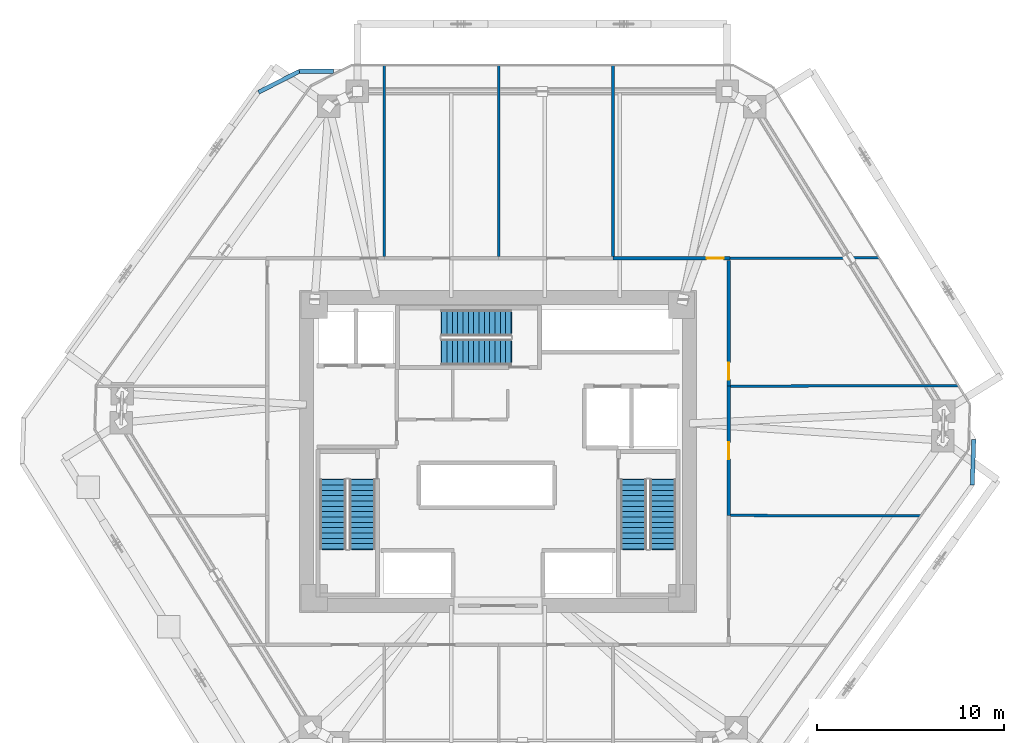
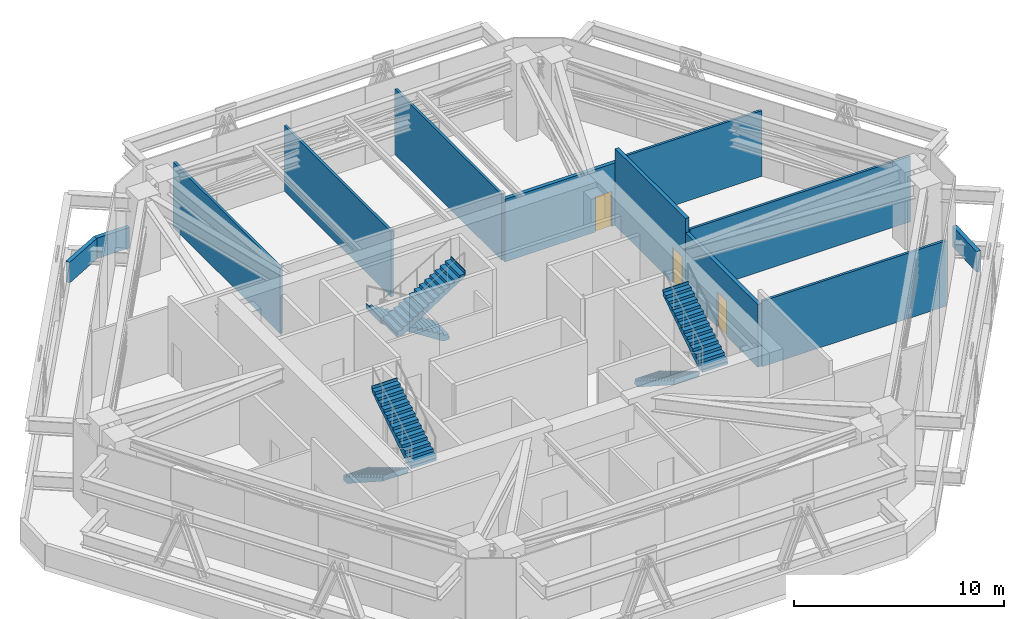
# One storey, part 9 of 10: 12 walls, 6 stair flights, 3 doors, 3 openings, 3 elements without a shape of their own.
"""IFC4 building model written with IfcOpenShell, lengths in metres."""

from ifc_helpers import new_model, si_unit, direction, frame, frame_2d, origin, place, context, subcontext, project, spatial, polyline, rectangle, outline, extrude, source, transform, mapped, material, layer, layer_set, type_object, type_shapes, element, fill, aggregate, save


model = new_model("IFC4")

# Units and contexts
model_context = context("Model", 3, precision=1e-05, world=origin(), true_north=direction((0.0, 1.0)))
body_context = subcontext(model_context, "Body", "Model", "MODEL_VIEW")
ifc_project = project(units=[si_unit("LENGTHUNIT", "METRE"), si_unit("AREAUNIT", "SQUARE_METRE"), si_unit("VOLUMEUNIT", "CUBIC_METRE"), si_unit("PLANEANGLEUNIT", "RADIAN"), si_unit("MASSUNIT", "GRAM", prefix="KILO")], contexts=[model_context])

# Site, building, storey
site_placement = place(None, origin())
site = spatial("IfcSite", under=ifc_project, at=site_placement, CompositionType="ELEMENT")
building_placement = place(site_placement, origin())
building = spatial("IfcBuilding", under=site, at=building_placement, Name="Durnholm Broadcast Tower", CompositionType="ELEMENT")
storey_placement = place(building_placement, frame((0.0, 0.0, 88.5)))
storey = spatial("IfcBuildingStorey", under=building, at=storey_placement, Name="L23", CompositionType="ELEMENT", Elevation=88.5)

# Wall, opening, door
ifc_material_1 = material(Name="Fire-Rated Gypsum Shaftwall", Category="concrete")
ifc_layer_1 = layer(ifc_material_1, 0.199951171875)
ifc_layer_set_1 = layer_set([ifc_layer_1], Name="Fire-Rated Gypsum Shaftwall")
wall_type_1 = type_object("IfcWallType", Name="WALL-LOB-200", PredefinedType="SOLIDWALL", material=ifc_layer_set_1)
wall_1_placement = place(storey_placement, frame((12.389892578125, 10.31005859375, 0.0), z_axis=(0.0, 0.0, 1.0), x_axis=(-1.0, 0.0, 0.0)))
wall_1 = element("IfcWall", 1, at=wall_1_placement, inside=storey, type_object=wall_type_1, Name="L23 Mechanical Plant Room - Hydronic Heating Boiler corridor partition", PredefinedType="SOLIDWALL", context=body_context, shape_type="SweptSolid", body=[
    extrude(rectangle(XDim=6.25, YDim=0.199951171875, at=frame_2d((3.125, 0.0))), origin(), (0.0, 0.0, 1.0), 3.652099609375),
])
opening_1_placement = place(wall_1_placement, frame((0.35009765625, 0.0, 0.0)))
opening_1 = element("IfcOpeningElement", 2, at=opening_1_placement, cuts=wall_1, Name="Opening DC-60L", PredefinedType="OPENING", context=body_context, shape_type="SweptSolid", body=[
    extrude(rectangle(XDim=0.89990234375, YDim=2.050048828125, at=frame_2d((0.449951171875, 1.02490234375))), frame((0.0, 0.10986328125, 0.0), z_axis=(0.0, -1.0, 0.0), x_axis=(1.0, 0.0, 0.0)), (0.0, 0.0, 1.0), 0.219970703125),
])
ifc_material_2 = material(Name="Fire-Rated Core Service Door", Category="steel")
ifc_layer_2 = layer(ifc_material_2, 0.050048828125)
ifc_layer_set_2 = layer_set([ifc_layer_2], Name="Fire-Rated Core Service Door")
door_type_1 = type_object("IfcDoorType", Name="DOOR-CORE-FD60-L", OperationType="NOTDEFINED", PredefinedType="DOOR", material=ifc_layer_set_2)
shared_shape_1 = source(origin(), body_context, "Body", "SweptSolid", [
    extrude(rectangle(XDim=0.89990234375, YDim=2.050048828125, at=frame_2d((0.449951171875, 1.02490234375))), frame((0.0, 0.02490234375, 0.0), z_axis=(0.0, -1.0, 0.0), x_axis=(1.0, 0.0, 0.0)), (0.0, 0.0, 1.0), 0.050048828125),
])
type_shapes(door_type_1, [shared_shape_1])
door_1_placement = place(opening_1_placement, origin())
door_1 = element("IfcDoor", 3, at=door_1_placement, inside=storey, type_object=door_type_1, Name="L23 Mechanical Plant Room - Hydronic Heating Boiler entrance door", OperationType="SINGLE_SWING_LEFT", OverallHeight=2.050048828125, OverallWidth=0.89990234375, PredefinedType="DOOR", context=body_context, shape_type="MappedRepresentation", body=[
    mapped(shared_shape_1, transform((0.0, 0.0, 0.0), x_axis=(1.0, 0.0, 0.0), y_axis=(0.0, 1.0, 0.0), z_axis=(0.0, 0.0, 1.0), scale=1.0)),
])
fill(opening_1, door_1)

wall_2_placement = place(storey_placement, frame((12.31005859375, -3.409912109375, 0.0), z_axis=(0.0, 0.0, 1.0), x_axis=(0.0, 1.0, 0.0)))
wall_2 = element("IfcWall", 4, at=wall_2_placement, inside=storey, type_object=wall_type_1, Name="L23 Mechanical Plant Room - Medium Voltage Transformer corridor partition", PredefinedType="SOLIDWALL", context=body_context, shape_type="SweptSolid", body=[
    extrude(rectangle(XDim=6.89990234375, YDim=0.199951171875, at=frame_2d((3.449951171875, 0.0))), origin(), (0.0, 0.0, 1.0), 3.652099609375),
])
opening_2_placement = place(wall_2_placement, frame((3.0, 0.0, 0.0)))
opening_2 = element("IfcOpeningElement", 5, at=opening_2_placement, cuts=wall_2, Name="Opening DC-60L", PredefinedType="OPENING", context=body_context, shape_type="SweptSolid", body=[
    extrude(rectangle(XDim=0.89990234375, YDim=2.050048828125, at=frame_2d((0.449951171875, 1.02490234375))), frame((0.0, 0.10986328125, 0.0), z_axis=(0.0, -1.0, 0.0), x_axis=(1.0, 0.0, 0.0)), (0.0, 0.0, 1.0), 0.219970703125),
])
door_2_placement = place(opening_2_placement, origin())
door_2 = element("IfcDoor", 6, at=door_2_placement, inside=storey, type_object=door_type_1, Name="L23 Mechanical Plant Room - Medium Voltage Transformer entrance door", OperationType="SINGLE_SWING_LEFT", OverallHeight=2.050048828125, OverallWidth=0.89990234375, PredefinedType="DOOR", context=body_context, shape_type="MappedRepresentation", body=[
    mapped(shared_shape_1, transform((0.0, 0.0, 0.0), x_axis=(1.0, 0.0, 0.0), y_axis=(0.0, 1.0, 0.0), z_axis=(0.0, 0.0, 1.0), scale=1.0)),
])
fill(opening_2, door_2)

wall_3_placement = place(storey_placement, frame((12.31005859375, 3.489990234375, 0.0), z_axis=(0.0, 0.0, 1.0), x_axis=(0.0, 1.0, 0.0)))
wall_3 = element("IfcWall", 7, at=wall_3_placement, inside=storey, type_object=wall_type_1, Name="L23 Mechanical Plant Room - Emergency Smoke Exhaust Fan corridor partition", PredefinedType="SOLIDWALL", context=body_context, shape_type="SweptSolid", body=[
    extrude(rectangle(XDim=6.716064453125, YDim=0.199951171875, at=frame_2d((3.35791015625, 0.0))), origin(), (0.0, 0.0, 1.0), 4.485107421875),
])
opening_3_placement = place(wall_3_placement, frame((0.35009765625, 0.0, 0.0)))
opening_3 = element("IfcOpeningElement", 8, at=opening_3_placement, cuts=wall_3, Name="Opening DC-60R", PredefinedType="OPENING", context=body_context, shape_type="SweptSolid", body=[
    extrude(rectangle(XDim=0.89990234375, YDim=2.050048828125, at=frame_2d((0.449951171875, 1.02490234375))), frame((0.0, 0.10986328125, 0.0), z_axis=(0.0, -1.0, 0.0), x_axis=(1.0, 0.0, 0.0)), (0.0, 0.0, 1.0), 0.219970703125),
])
ifc_layer_3 = layer(ifc_material_2, 0.050048828125)
ifc_layer_set_3 = layer_set([ifc_layer_3], Name="Fire-Rated Core Service Door")
door_type_2 = type_object("IfcDoorType", Name="DOOR-CORE-FD60-R", OperationType="NOTDEFINED", PredefinedType="DOOR", material=ifc_layer_set_3)
shared_shape_2 = source(origin(), body_context, "Body", "SweptSolid", [
    extrude(rectangle(XDim=0.89990234375, YDim=2.050048828125, at=frame_2d((0.449951171875, 1.02490234375))), frame((0.0, 0.02490234375, 0.0), z_axis=(0.0, -1.0, 0.0), x_axis=(1.0, 0.0, 0.0)), (0.0, 0.0, 1.0), 0.050048828125),
])
type_shapes(door_type_2, [shared_shape_2])
door_3_placement = place(opening_3_placement, origin())
door_3 = element("IfcDoor", 9, at=door_3_placement, inside=storey, type_object=door_type_2, Name="L23 Mechanical Plant Room - Emergency Smoke Exhaust Fan entrance door", OperationType="SINGLE_SWING_RIGHT", OverallHeight=2.050048828125, OverallWidth=0.89990234375, PredefinedType="DOOR", context=body_context, shape_type="MappedRepresentation", body=[
    mapped(shared_shape_2, transform((0.0, 0.0, 0.0), x_axis=(1.0, 0.0, 0.0), y_axis=(0.0, 1.0, 0.0), z_axis=(0.0, 0.0, 1.0), scale=1.0)),
])
fill(opening_3, door_3)

# Walls
ifc_material_3 = material(Name="Precast Concrete C40/50", Category="concrete")
ifc_layer_4 = layer(ifc_material_3, 0.219970703125)
ifc_layer_set_4 = layer_set([ifc_layer_4], Name="Precast Concrete C40/50")
wall_type_2 = type_object("IfcWallType", Name="WALL-PAR-220", PredefinedType="PARAPET", material=ifc_layer_set_4)
wall_4_placement = place(storey_placement, frame((25.393310546875, 0.6484375, 0.0), z_axis=(0.0, 0.0, 1.0), x_axis=(-0.033815990117, -0.999428075858, 0.0)))
element("IfcWall", 10, at=wall_4_placement, inside=storey, type_object=wall_type_2, Name="L23 setback roof perimeter parapet 01", PredefinedType="PARAPET", context=body_context, shape_type="SweptSolid", body=[
    extrude(rectangle(XDim=2.43310546875, YDim=0.219970703125, at=frame_2d((1.216552734375, 0.0))), origin(), (0.0, 0.0, 1.0), 1.199951171875),
])
wall_5_placement = place(storey_placement, frame((-12.77197265625, 19.17529296875, 0.0), z_axis=(0.0, 0.0, 1.0), x_axis=(0.890197350178, 0.455575106581, 0.0)))
element("IfcWall", 11, at=wall_5_placement, inside=storey, type_object=wall_type_2, Name="L23 setback roof perimeter parapet 09", PredefinedType="PARAPET", context=body_context, shape_type="SweptSolid", body=[
    extrude(rectangle(XDim=2.44677734375, YDim=0.219970703125, at=frame_2d((1.223388671875, 0.0))), origin(), (0.0, 0.0, 1.0), 1.199951171875),
])
wall_6_placement = place(storey_placement, frame((-10.59375, 20.2900390625, 0.0), z_axis=(0.0, 0.0, 1.0), x_axis=(1.0, 0.0, 0.0)))
element("IfcWall", 12, at=wall_6_placement, inside=storey, type_object=wall_type_2, Name="L23 setback roof perimeter parapet 10", PredefinedType="PARAPET", context=body_context, shape_type="SweptSolid", body=[
    extrude(rectangle(XDim=1.817138671875, YDim=0.219970703125, at=frame_2d((0.90869140625, 0.0))), origin(), (0.0, 0.0, 1.0), 1.199951171875),
])
ifc_material_4 = material(Name="Gypsum Metal Stud Partition", Category="concrete")
ifc_layer_5 = layer(ifc_material_4, 0.135009765625)
ifc_layer_set_5 = layer_set([ifc_layer_5], Name="Gypsum Metal Stud Partition")
wall_type_3 = type_object("IfcWallType", Name="WALL-PART-135", PredefinedType="PARTITIONING", material=ifc_layer_set_5)
for number, where, z_axis, x_axis, name in (
    (13, (-6.06005859375, 20.614990234375, 0.0), (0.0, 0.0, 1.0), (0.0, -1.0, 0.0), "L23 room dividing partition 3.4"),
    (14, (0.0400390625, 20.614990234375, 0.0), (0.0, 0.0, 1.0), (0.0, -1.0, 0.0), "L23 room dividing partition 4.5"),
    (15, (6.139892578125, 20.614990234375, 0.0), (0.0, 0.0, 1.0), (0.0, -1.0, 0.0), "L23 room dividing partition 5.6"),
):
    element("IfcWall", number, at=place(storey_placement, frame(where, z_axis=z_axis, x_axis=x_axis)), inside=storey, type_object=wall_type_3, Name=name, PredefinedType="PARTITIONING", context=body_context, shape_type="SweptSolid", body=[
        extrude(rectangle(XDim=10.200927734375, YDim=0.135009765625, at=frame_2d((5.1005859375, 0.0))), origin(), (0.0, 0.0, 1.0), 3.820068359375),
    ])
wall_7_placement = place(storey_placement, frame((20.345458984375, 10.3310546875, 0.0), z_axis=(0.0, 0.0, 1.0), x_axis=(-0.999996597928, -0.002608473296, 0.0)))
element("IfcWall", 16, at=wall_7_placement, inside=storey, type_object=wall_type_3, Name="L23 room dividing partition 6.13", PredefinedType="PARTITIONING", context=body_context, shape_type="SweptSolid", body=[
    extrude(rectangle(XDim=7.95556640625, YDim=0.135009765625, at=frame_2d((3.977783203125, 0.0))), origin(), (0.0, 0.0, 1.0), 3.820068359375),
])
wall_8_placement = place(storey_placement, frame((12.4140625, -3.41015625, 0.0), z_axis=(0.0, 0.0, 1.0), x_axis=(0.999997389085, -0.002285131022, 0.0)))
element("IfcWall", 17, at=wall_8_placement, inside=storey, type_object=wall_type_3, Name="L23 room dividing partition 11.12", PredefinedType="PARTITIONING", context=body_context, shape_type="SweptSolid", body=[
    extrude(rectangle(XDim=10.149658203125, YDim=0.135009765625, at=frame_2d((5.07470703125, 0.0))), origin(), (0.0, 0.0, 1.0), 3.820068359375),
])
wall_9_placement = place(storey_placement, frame((12.4140625, 3.490234375, 0.0), z_axis=(0.0, 0.0, 1.0), x_axis=(0.999998544192, 0.001706345129, 0.0)))
element("IfcWall", 18, at=wall_9_placement, inside=storey, type_object=wall_type_3, Name="L23 room dividing partition 12.13", PredefinedType="PARTITIONING", context=body_context, shape_type="SweptSolid", body=[
    extrude(rectangle(XDim=12.16162109375, YDim=0.135009765625, at=frame_2d((6.080810546875, 0.0))), origin(), (0.0, 0.0, 1.0), 3.820068359375),
])

# Stair, stair flights
ifc_material_5 = material(Name="Concrete C50/60", Category="concrete")
stair_type = type_object("IfcStairType", Name="STAIR-DL-28R1714", PredefinedType="HALF_TURN_STAIR", material=ifc_material_5)
stair_1_placement = place(storey_placement, origin())
stair_1 = element("IfcStair", 19, at=stair_1_placement, inside=storey, type_object=stair_type, Name="L23 ST-1", PredefinedType="HALF_TURN_STAIR")
stair_flight_type = type_object("IfcStairFlightType", Name="FLIGHT-DL-28R1714", PredefinedType="STRAIGHT", material=ifc_material_5)
stair_flight_1_placement = place(storey_placement, frame((-8.800048828125, -1.5, 0.0), z_axis=(0.0, 0.0, 1.0), x_axis=(0.0, -1.0, 0.0)))
stair_flight_1 = element("IfcStairFlight", 20, at=stair_flight_1_placement, type_object=stair_flight_type, Name="ST-1 flight 1", NumberOfRisers=14, NumberOfTreads=13, PredefinedType="STRAIGHT", RiserHeight=0.171428571, TreadLength=0.285, context=body_context, shape_type="SweptSolid", body=[
    extrude(outline(polyline([(-0.0400390625, -0.14990234375), (-0.0400390625, 0.0), (0.0, 0.0), (0.0, 0.17138671875), (0.284912109375, 0.17138671875), (0.284912109375, 0.3427734375), (0.570068359375, 0.3427734375), (0.570068359375, 0.514404296875), (0.85498046875, 0.514404296875), (0.85498046875, 0.685791015625), (1.139892578125, 0.685791015625), (1.139892578125, 0.857177734375), (1.425048828125, 0.857177734375), (1.425048828125, 1.028564453125), (1.7099609375, 1.028564453125), (1.7099609375, 1.199951171875), (1.9951171875, 1.199951171875), (1.9951171875, 1.371337890625), (2.280029296875, 1.371337890625), (2.280029296875, 1.54296875), (2.56494140625, 1.54296875), (2.56494140625, 1.71435546875), (2.85009765625, 1.71435546875), (2.85009765625, 1.8857421875), (3.135009765625, 1.8857421875), (3.135009765625, 2.05712890625), (3.419921875, 2.05712890625), (3.419921875, 2.228515625), (3.705078125, 2.228515625), (3.705078125, 2.39990234375), (3.7451171875, 2.39990234375), (3.7451171875, 2.25), (3.705078125, 2.0537109375), (0.290771484375, -0.14990234375), (-0.0400390625, -0.14990234375)])), frame((0.0, 0.699951171875, 0.0), z_axis=(0.0, -1.0, 0.0), x_axis=(1.0, 0.0, 0.0)), (0.0, 0.0, 1.0), 1.39990234375),
])
stair_flight_2_placement = place(storey_placement, frame((-7.239990234375, -5.205078125, 2.39990234375), z_axis=(0.0, 0.0, 1.0), x_axis=(0.0, 1.0, 0.0)))
stair_flight_2 = element("IfcStairFlight", 21, at=stair_flight_2_placement, type_object=stair_flight_type, Name="ST-1 flight 2", NumberOfRisers=14, NumberOfTreads=13, PredefinedType="STRAIGHT", RiserHeight=0.171428571, TreadLength=0.285, context=body_context, shape_type="SweptSolid", body=[
    extrude(outline(polyline([(-0.0400390625, -0.14990234375), (-0.0400390625, 0.0), (0.0, 0.0), (0.0, 0.17138671875), (0.284912109375, 0.17138671875), (0.284912109375, 0.3427734375), (0.570068359375, 0.3427734375), (0.570068359375, 0.514404296875), (0.85498046875, 0.514404296875), (0.85498046875, 0.685791015625), (1.139892578125, 0.685791015625), (1.139892578125, 0.857177734375), (1.425048828125, 0.857177734375), (1.425048828125, 1.028564453125), (1.7099609375, 1.028564453125), (1.7099609375, 1.199951171875), (1.9951171875, 1.199951171875), (1.9951171875, 1.371337890625), (2.280029296875, 1.371337890625), (2.280029296875, 1.54296875), (2.56494140625, 1.54296875), (2.56494140625, 1.71435546875), (2.85009765625, 1.71435546875), (2.85009765625, 1.8857421875), (3.135009765625, 1.8857421875), (3.135009765625, 2.05712890625), (3.419921875, 2.05712890625), (3.419921875, 2.228515625), (3.705078125, 2.228515625), (3.705078125, 2.39990234375), (3.7451171875, 2.39990234375), (3.7451171875, 2.25), (3.705078125, 2.0537109375), (0.290771484375, -0.14990234375), (-0.0400390625, -0.14990234375)])), frame((0.0, 0.699951171875, 0.0), z_axis=(0.0, -1.0, 0.0), x_axis=(1.0, 0.0, 0.0)), (0.0, 0.0, 1.0), 1.39990234375),
])
aggregate(stair_1, [stair_flight_1, stair_flight_2])

stair_2_placement = place(storey_placement, origin())
stair_2 = element("IfcStair", 22, at=stair_2_placement, inside=storey, type_object=stair_type, Name="L23 ST-2", PredefinedType="HALF_TURN_STAIR")
stair_flight_3_placement = place(storey_placement, frame((7.239990234375, -1.5, 0.0), z_axis=(0.0, 0.0, 1.0), x_axis=(0.0, -1.0, 0.0)))
stair_flight_3 = element("IfcStairFlight", 23, at=stair_flight_3_placement, type_object=stair_flight_type, Name="ST-2 flight 1", NumberOfRisers=14, NumberOfTreads=13, PredefinedType="STRAIGHT", RiserHeight=0.171428571, TreadLength=0.285, context=body_context, shape_type="SweptSolid", body=[
    extrude(outline(polyline([(-0.0400390625, -0.14990234375), (-0.0400390625, 0.0), (0.0, 0.0), (0.0, 0.17138671875), (0.284912109375, 0.17138671875), (0.284912109375, 0.3427734375), (0.570068359375, 0.3427734375), (0.570068359375, 0.514404296875), (0.85498046875, 0.514404296875), (0.85498046875, 0.685791015625), (1.139892578125, 0.685791015625), (1.139892578125, 0.857177734375), (1.425048828125, 0.857177734375), (1.425048828125, 1.028564453125), (1.7099609375, 1.028564453125), (1.7099609375, 1.199951171875), (1.9951171875, 1.199951171875), (1.9951171875, 1.371337890625), (2.280029296875, 1.371337890625), (2.280029296875, 1.54296875), (2.56494140625, 1.54296875), (2.56494140625, 1.71435546875), (2.85009765625, 1.71435546875), (2.85009765625, 1.8857421875), (3.135009765625, 1.8857421875), (3.135009765625, 2.05712890625), (3.419921875, 2.05712890625), (3.419921875, 2.228515625), (3.705078125, 2.228515625), (3.705078125, 2.39990234375), (3.7451171875, 2.39990234375), (3.7451171875, 2.25), (3.705078125, 2.0537109375), (0.290771484375, -0.14990234375), (-0.0400390625, -0.14990234375)])), frame((0.0, 0.699951171875, 0.0), z_axis=(0.0, -1.0, 0.0), x_axis=(1.0, 0.0, 0.0)), (0.0, 0.0, 1.0), 1.39990234375),
])
stair_flight_4_placement = place(storey_placement, frame((8.800048828125, -5.205078125, 2.39990234375), z_axis=(0.0, 0.0, 1.0), x_axis=(0.0, 1.0, 0.0)))
stair_flight_4 = element("IfcStairFlight", 24, at=stair_flight_4_placement, type_object=stair_flight_type, Name="ST-2 flight 2", NumberOfRisers=14, NumberOfTreads=13, PredefinedType="STRAIGHT", RiserHeight=0.171428571, TreadLength=0.285, context=body_context, shape_type="SweptSolid", body=[
    extrude(outline(polyline([(-0.0400390625, -0.14990234375), (-0.0400390625, 0.0), (0.0, 0.0), (0.0, 0.17138671875), (0.284912109375, 0.17138671875), (0.284912109375, 0.3427734375), (0.570068359375, 0.3427734375), (0.570068359375, 0.514404296875), (0.85498046875, 0.514404296875), (0.85498046875, 0.685791015625), (1.139892578125, 0.685791015625), (1.139892578125, 0.857177734375), (1.425048828125, 0.857177734375), (1.425048828125, 1.028564453125), (1.7099609375, 1.028564453125), (1.7099609375, 1.199951171875), (1.9951171875, 1.199951171875), (1.9951171875, 1.371337890625), (2.280029296875, 1.371337890625), (2.280029296875, 1.54296875), (2.56494140625, 1.54296875), (2.56494140625, 1.71435546875), (2.85009765625, 1.71435546875), (2.85009765625, 1.8857421875), (3.135009765625, 1.8857421875), (3.135009765625, 2.05712890625), (3.419921875, 2.05712890625), (3.419921875, 2.228515625), (3.705078125, 2.228515625), (3.705078125, 2.39990234375), (3.7451171875, 2.39990234375), (3.7451171875, 2.25), (3.705078125, 2.0537109375), (0.290771484375, -0.14990234375), (-0.0400390625, -0.14990234375)])), frame((0.0, 0.699951171875, 0.0), z_axis=(0.0, -1.0, 0.0), x_axis=(1.0, 0.0, 0.0)), (0.0, 0.0, 1.0), 1.39990234375),
])
aggregate(stair_2, [stair_flight_3, stair_flight_4])

stair_3_placement = place(storey_placement, origin())
stair_3 = element("IfcStair", 25, at=stair_3_placement, inside=storey, type_object=stair_type, Name="L23 ST-3", PredefinedType="HALF_TURN_STAIR")
stair_flight_5_placement = place(storey_placement, frame((0.699951171875, 6.860107421875, 0.0), z_axis=(0.0, 0.0, 1.0), x_axis=(-1.0, 0.0, 0.0)))
stair_flight_5 = element("IfcStairFlight", 26, at=stair_flight_5_placement, type_object=stair_flight_type, Name="ST-3 flight 1", NumberOfRisers=14, NumberOfTreads=13, PredefinedType="STRAIGHT", RiserHeight=0.171428571, TreadLength=0.285, context=body_context, shape_type="SweptSolid", body=[
    extrude(outline(polyline([(-0.0400390625, -0.14990234375), (-0.0400390625, 0.0), (0.0, 0.0), (0.0, 0.17138671875), (0.284912109375, 0.17138671875), (0.284912109375, 0.3427734375), (0.570068359375, 0.3427734375), (0.570068359375, 0.514404296875), (0.85498046875, 0.514404296875), (0.85498046875, 0.685791015625), (1.139892578125, 0.685791015625), (1.139892578125, 0.857177734375), (1.425048828125, 0.857177734375), (1.425048828125, 1.028564453125), (1.7099609375, 1.028564453125), (1.7099609375, 1.199951171875), (1.9951171875, 1.199951171875), (1.9951171875, 1.371337890625), (2.280029296875, 1.371337890625), (2.280029296875, 1.54296875), (2.56494140625, 1.54296875), (2.56494140625, 1.71435546875), (2.85009765625, 1.71435546875), (2.85009765625, 1.8857421875), (3.135009765625, 1.8857421875), (3.135009765625, 2.05712890625), (3.419921875, 2.05712890625), (3.419921875, 2.228515625), (3.705078125, 2.228515625), (3.705078125, 2.39990234375), (3.7451171875, 2.39990234375), (3.7451171875, 2.25), (3.705078125, 2.0537109375), (0.290771484375, -0.14990234375), (-0.0400390625, -0.14990234375)])), frame((0.0, 0.699951171875, 0.0), z_axis=(0.0, -1.0, 0.0), x_axis=(1.0, 0.0, 0.0)), (0.0, 0.0, 1.0), 1.39990234375),
])
stair_flight_6_placement = place(storey_placement, frame((-3.0048828125, 5.300048828125, 2.39990234375), z_axis=(0.0, 0.0, 1.0), x_axis=(1.0, 0.0, 0.0)))
stair_flight_6 = element("IfcStairFlight", 27, at=stair_flight_6_placement, type_object=stair_flight_type, Name="ST-3 flight 2", NumberOfRisers=14, NumberOfTreads=13, PredefinedType="STRAIGHT", RiserHeight=0.171428571, TreadLength=0.285, context=body_context, shape_type="SweptSolid", body=[
    extrude(outline(polyline([(-0.0400390625, -0.14990234375), (-0.0400390625, 0.0), (0.0, 0.0), (0.0, 0.17138671875), (0.284912109375, 0.17138671875), (0.284912109375, 0.3427734375), (0.570068359375, 0.3427734375), (0.570068359375, 0.514404296875), (0.85498046875, 0.514404296875), (0.85498046875, 0.685791015625), (1.139892578125, 0.685791015625), (1.139892578125, 0.857177734375), (1.425048828125, 0.857177734375), (1.425048828125, 1.028564453125), (1.7099609375, 1.028564453125), (1.7099609375, 1.199951171875), (1.9951171875, 1.199951171875), (1.9951171875, 1.371337890625), (2.280029296875, 1.371337890625), (2.280029296875, 1.54296875), (2.56494140625, 1.54296875), (2.56494140625, 1.71435546875), (2.85009765625, 1.71435546875), (2.85009765625, 1.8857421875), (3.135009765625, 1.8857421875), (3.135009765625, 2.05712890625), (3.419921875, 2.05712890625), (3.419921875, 2.228515625), (3.705078125, 2.228515625), (3.705078125, 2.39990234375), (3.7451171875, 2.39990234375), (3.7451171875, 2.25), (3.705078125, 2.0537109375), (0.290771484375, -0.14990234375), (-0.0400390625, -0.14990234375)])), frame((0.0, 0.699951171875, 0.0), z_axis=(0.0, -1.0, 0.0), x_axis=(1.0, 0.0, 0.0)), (0.0, 0.0, 1.0), 1.39990234375),
])
aggregate(stair_3, [stair_flight_5, stair_flight_6])

save(model, "model.ifc")
